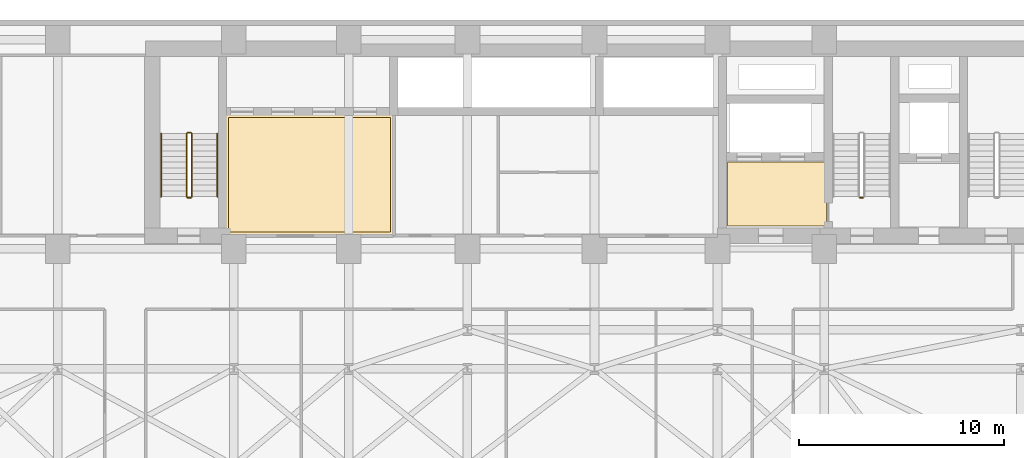
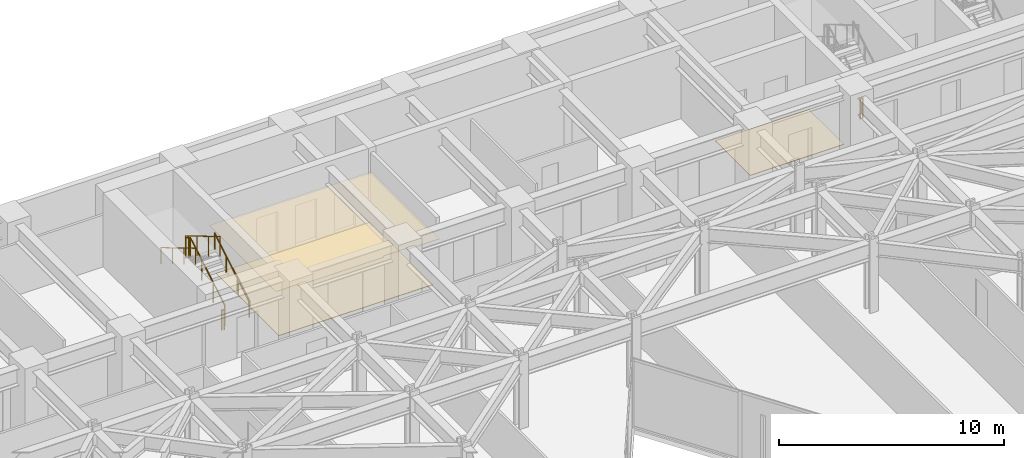
# One storey, part 23 of 24: 7 railings, 3 coverings.
"""IFC4 building model written with IfcOpenShell, lengths in metres."""

from ifc_helpers import new_model, si_unit, direction, frame, origin, origin_2d, place, context, subcontext, project, spatial, polyline, circle, outline, extrude, material, layer, layer_set, type_object, element, save


model = new_model("IFC4")

# Units and contexts
model_context = context("Model", 3, precision=1e-05, world=origin(), true_north=direction((0.0, 1.0)))
body_context = subcontext(model_context, "Body", "Model", "MODEL_VIEW")
ifc_project = project(units=[si_unit("LENGTHUNIT", "METRE"), si_unit("AREAUNIT", "SQUARE_METRE"), si_unit("VOLUMEUNIT", "CUBIC_METRE"), si_unit("PLANEANGLEUNIT", "RADIAN"), si_unit("MASSUNIT", "GRAM", prefix="KILO")], contexts=[model_context])

# Site, building, storey
site_placement = place(None, origin())
site = spatial("IfcSite", under=ifc_project, at=site_placement, CompositionType="ELEMENT")
building_placement = place(site_placement, origin())
building = spatial("IfcBuilding", under=site, at=building_placement, Name="Kravanh Interchange Tower", CompositionType="ELEMENT")
storey_placement = place(building_placement, frame((0.0, 0.0, 53.5)))
storey = spatial("IfcBuildingStorey", under=building, at=storey_placement, Name="L12", CompositionType="ELEMENT", Elevation=53.5)

# Coverings
ifc_material_1 = material(Name="Cementitious Terrazzo Tile")
ifc_layer_1 = layer(ifc_material_1, 0.030029296875)
ifc_layer_set_1 = layer_set([ifc_layer_1], Name="Honed Terrazzo Lobby Flooring 30mm")
covering_type_1 = type_object("IfcCoveringType", Name="Honed Terrazzo Lobby Flooring 30mm", PredefinedType="FLOORING", material=ifc_layer_set_1)
covering_1_placement = place(storey_placement, origin())
element("IfcCovering", 1, at=covering_1_placement, inside=storey, type_object=covering_type_1, Name="L12 Firefighting Lobby Floor Finish", PredefinedType="FLOORING", context=body_context, shape_type="SweptSolid", body=[
    extrude(outline(polyline([(56.1201171875, 38.4599609375), (51.300048828125, 38.4599609375), (51.300048828125, 41.580078125), (56.1201171875, 41.580078125), (56.1201171875, 38.4599609375)])), origin(), (0.0, 0.0, 1.0), 0.030029296875),
])
covering_2_placement = place(storey_placement, origin())
element("IfcCovering", 2, at=covering_2_placement, inside=storey, type_object=covering_type_1, Name="L12 Low-Rise Lift Lobby Floor Finish", PredefinedType="FLOORING", context=body_context, shape_type="SweptSolid", body=[
    extrude(outline(polyline([(26.929931640625, 43.77001953125), (34.840087890625, 43.77001953125), (34.840087890625, 38.179931640625), (26.929931640625, 38.179931640625), (26.929931640625, 43.77001953125)])), origin(), (0.0, 0.0, 1.0), 0.030029296875),
])
ifc_material_2 = material(Name="Acoustic Mineral Fibre Tile on Aluminium Grid", Category="aluminium")
ifc_layer_2 = layer(ifc_material_2, 0.02490234375)
ifc_layer_set_2 = layer_set([ifc_layer_2], Name="Perforated Acoustic Mineral Ceiling 25mm")
covering_type_2 = type_object("IfcCoveringType", Name="Perforated Acoustic Mineral Ceiling 25mm", PredefinedType="CEILING", material=ifc_layer_set_2)
covering_3_placement = place(storey_placement, frame((0.0, 0.0, 2.550048828125)))
element("IfcCovering", 3, at=covering_3_placement, inside=storey, type_object=covering_type_2, Name="L12 Low-Rise Lift Lobby Suspended Ceiling", PredefinedType="CEILING", context=body_context, shape_type="SweptSolid", body=[
    extrude(outline(polyline([(35.06005859375, 37.9599609375), (33.39990234375, 37.9599609375), (33.39990234375, 38.050048828125), (32.199951171875, 38.050048828125), (32.199951171875, 37.9599609375), (27.800048828125, 37.9599609375), (27.800048828125, 38.050048828125), (26.7099609375, 38.050048828125), (26.7099609375, 43.989990234375), (35.06005859375, 43.989990234375), (35.06005859375, 37.9599609375)])), origin(), (0.0, 0.0, 1.0), 0.02490234375),
])

# Railings
ifc_material_3 = material(Name="Structural Steel S355", Category="steel")
ifc_layer_3 = layer(ifc_material_3, 0.050048828125)
ifc_layer_set_3 = layer_set([ifc_layer_3], Name="Stair Well Guardrail Structural Steel S355 1100mm")
railing_type_1 = type_object("IfcRailingType", Name="Stair Well Guardrail Structural Steel S355 1100mm", PredefinedType="GUARDRAIL", material=ifc_layer_set_3)
railing_1_placement = place(storey_placement, frame((57.89990234375, 39.85009765625, 0.0)))
element("IfcRailing", 4, at=railing_1_placement, inside=storey, type_object=railing_type_1, Name="L12 ST2 stair guard 4", PredefinedType="GUARDRAIL", context=body_context, shape_type="SweptSolid", body=[
    extrude(circle(Radius=0.02392578125, at=origin_2d()), frame((0.0, 0.0, 1.076171875), z_axis=(-1.0, 0.0, 0.0), x_axis=(0.0, -1.0, 0.0)), (0.0, 0.0, 1.0), 0.14990234375),
    extrude(circle(Radius=0.02099609375, at=origin_2d()), origin(), (0.0, 0.0, 1.0), 1.052001953125),
    extrude(circle(Radius=0.02099609375, at=origin_2d()), frame((-0.14990234375, 0.0, 0.0)), (0.0, 0.0, 1.0), 1.052001953125),
])
railing_2_placement = place(storey_placement, frame((25.14990234375, 39.89990234375, 0.166748046875)))
element("IfcRailing", 5, at=railing_2_placement, inside=storey, type_object=railing_type_1, Name="L12 ST3 stair guard 1", PredefinedType="GUARDRAIL", context=body_context, shape_type="SweptSolid", body=[
    extrude(circle(Radius=0.02392578125, at=origin_2d()), frame((0.0, 0.0, 1.076171875), z_axis=(0.0, 0.859308565015, 0.511457515432), x_axis=(-1.0, 0.0, 0.0)), (0.0, 0.0, 1.0), 3.58447265625),
    extrude(circle(Radius=0.02099609375, at=origin_2d()), origin(), (0.0, 0.0, 1.0), 1.052001953125),
    extrude(circle(Radius=0.02099609375, at=origin_2d()), frame((0.0, 1.026611328125, 0.611083984375)), (0.0, 0.0, 1.0), 1.052001953125),
    extrude(circle(Radius=0.02099609375, at=origin_2d()), frame((0.0, 2.053466796875, 1.22216796875)), (0.0, 0.0, 1.0), 1.052001953125),
    extrude(circle(Radius=0.02099609375, at=origin_2d()), frame((0.0, 3.080078125, 1.833251953125)), (0.0, 0.0, 1.0), 1.052001953125),
])
railing_3_placement = place(storey_placement, frame((25.10009765625, 43.030029296875, 2.0)))
element("IfcRailing", 6, at=railing_3_placement, inside=storey, type_object=railing_type_1, Name="L12 ST3 stair guard 2", PredefinedType="GUARDRAIL", context=body_context, shape_type="SweptSolid", body=[
    extrude(circle(Radius=0.02392578125, at=origin_2d()), frame((0.0, 0.0, 1.076171875), z_axis=(-1.0, 0.0, 0.0), x_axis=(0.0, -1.0, 0.0)), (0.0, 0.0, 1.0), 0.150146484375),
    extrude(circle(Radius=0.02099609375, at=origin_2d()), origin(), (0.0, 0.0, 1.0), 1.052001953125),
    extrude(circle(Radius=0.02099609375, at=origin_2d()), frame((-0.150146484375, 0.0, 0.0)), (0.0, 0.0, 1.0), 1.052001953125),
])
railing_4_placement = place(storey_placement, frame((24.89990234375, 42.97998046875, 2.166748046875)))
element("IfcRailing", 7, at=railing_4_placement, inside=storey, type_object=railing_type_1, Name="L12 ST3 stair guard 3", PredefinedType="GUARDRAIL", context=body_context, shape_type="SweptSolid", body=[
    extrude(circle(Radius=0.02392578125, at=origin_2d()), frame((0.0, 0.0, 1.076171875), z_axis=(0.0, -0.859308565015, 0.511457515432), x_axis=(1.0, 0.0, 0.0)), (0.0, 0.0, 1.0), 3.58447265625),
    extrude(circle(Radius=0.02099609375, at=origin_2d()), origin(), (0.0, 0.0, 1.0), 1.052001953125),
    extrude(circle(Radius=0.02099609375, at=origin_2d()), frame((0.0, -1.026611328125, 0.611083984375)), (0.0, 0.0, 1.0), 1.052001953125),
    extrude(circle(Radius=0.02099609375, at=origin_2d()), frame((0.0, -2.053466796875, 1.22216796875)), (0.0, 0.0, 1.0), 1.052001953125),
    extrude(circle(Radius=0.02099609375, at=origin_2d()), frame((0.0, -3.080078125, 1.833251953125)), (0.0, 0.0, 1.0), 1.052001953125),
])
railing_5_placement = place(storey_placement, frame((25.10009765625, 39.85009765625, 0.0)))
element("IfcRailing", 8, at=railing_5_placement, inside=storey, type_object=railing_type_1, Name="L12 ST3 stair guard 4", PredefinedType="GUARDRAIL", context=body_context, shape_type="SweptSolid", body=[
    extrude(circle(Radius=0.02392578125, at=origin_2d()), frame((0.0, 0.0, 1.076171875), z_axis=(-1.0, 0.0, 0.0), x_axis=(0.0, -1.0, 0.0)), (0.0, 0.0, 1.0), 0.150146484375),
    extrude(circle(Radius=0.02099609375, at=origin_2d()), origin(), (0.0, 0.0, 1.0), 1.052001953125),
    extrude(circle(Radius=0.02099609375, at=origin_2d()), frame((-0.150146484375, 0.0, 0.0)), (0.0, 0.0, 1.0), 1.052001953125),
])
ifc_material_4 = material(Name="Stainless Steel 304", Category="steel")
ifc_layer_4 = layer(ifc_material_4, 0.044921875)
ifc_layer_set_4 = layer_set([ifc_layer_4], Name="Tubular Stair Handrail Stainless 304 900mm")
railing_type_2 = type_object("IfcRailingType", Name="Tubular Stair Handrail Stainless 304 900mm", PredefinedType="HANDRAIL", material=ifc_layer_set_4)
railing_6_placement = place(storey_placement, frame((26.39990234375, 39.89990234375, 0.166748046875)))
element("IfcRailing", 9, at=railing_6_placement, inside=storey, type_object=railing_type_2, Name="L12 ST3 stair handrail 1", PredefinedType="HANDRAIL", context=body_context, shape_type="SweptSolid", body=[
    extrude(circle(Radius=0.02392578125, at=origin_2d()), frame((0.0, 0.0, 0.8759765625), z_axis=(0.0, 0.859308565015, 0.511457515432), x_axis=(-1.0, 0.0, 0.0)), (0.0, 0.0, 1.0), 3.58447265625),
    extrude(circle(Radius=0.02099609375, at=origin_2d()), origin(), (0.0, 0.0, 1.0), 0.851806640625),
    extrude(circle(Radius=0.02099609375, at=origin_2d()), frame((0.0, 1.026611328125, 0.611083984375)), (0.0, 0.0, 1.0), 0.851806640625),
    extrude(circle(Radius=0.02099609375, at=origin_2d()), frame((0.0, 2.053466796875, 1.22216796875)), (0.0, 0.0, 1.0), 0.851806640625),
    extrude(circle(Radius=0.02099609375, at=origin_2d()), frame((0.0, 3.080078125, 1.833251953125)), (0.0, 0.0, 1.0), 0.851806640625),
])
railing_7_placement = place(storey_placement, frame((23.64990234375, 42.97998046875, 2.166748046875)))
element("IfcRailing", 10, at=railing_7_placement, inside=storey, type_object=railing_type_2, Name="L12 ST3 stair handrail 2", PredefinedType="HANDRAIL", context=body_context, shape_type="SweptSolid", body=[
    extrude(circle(Radius=0.02392578125, at=origin_2d()), frame((0.0, 0.0, 0.8759765625), z_axis=(0.0, -0.859308565015, 0.511457515432), x_axis=(1.0, 0.0, 0.0)), (0.0, 0.0, 1.0), 3.58447265625),
    extrude(circle(Radius=0.02099609375, at=origin_2d()), origin(), (0.0, 0.0, 1.0), 0.851806640625),
    extrude(circle(Radius=0.02099609375, at=origin_2d()), frame((0.0, -1.026611328125, 0.611083984375)), (0.0, 0.0, 1.0), 0.851806640625),
    extrude(circle(Radius=0.02099609375, at=origin_2d()), frame((0.0, -2.053466796875, 1.22216796875)), (0.0, 0.0, 1.0), 0.851806640625),
    extrude(circle(Radius=0.02099609375, at=origin_2d()), frame((0.0, -3.080078125, 1.833251953125)), (0.0, 0.0, 1.0), 0.851806640625),
])

save(model, "model.ifc")
